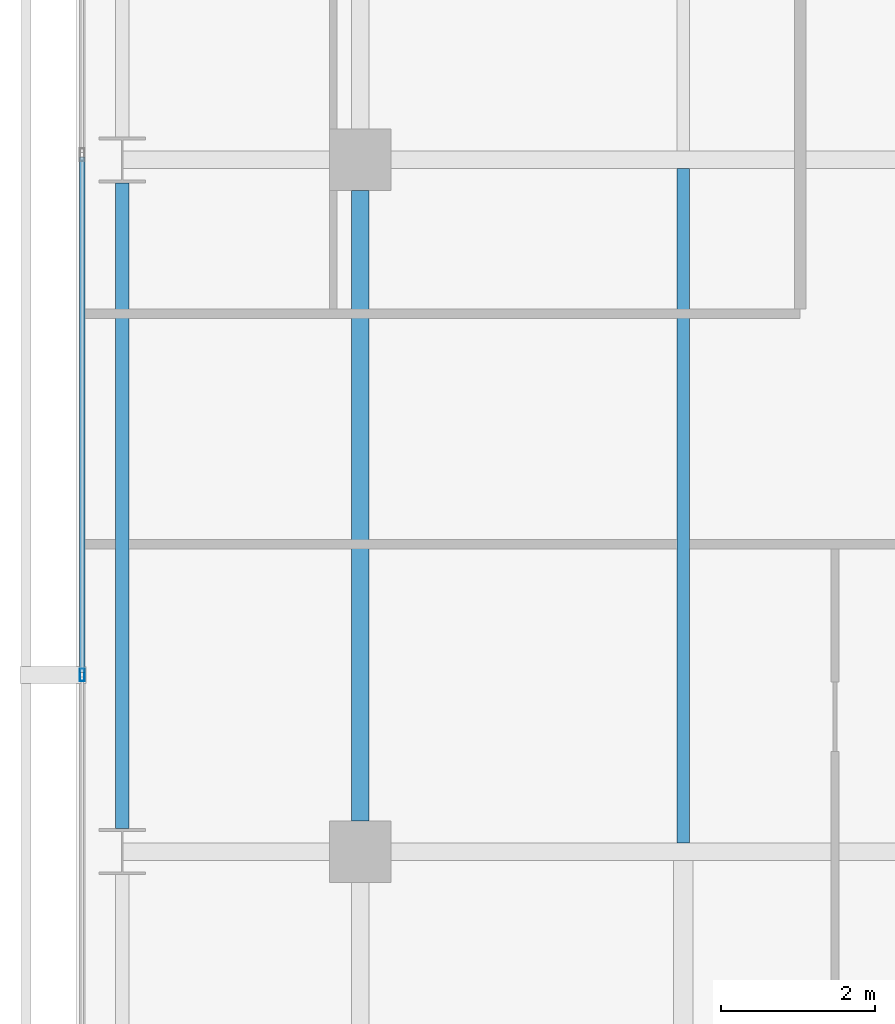
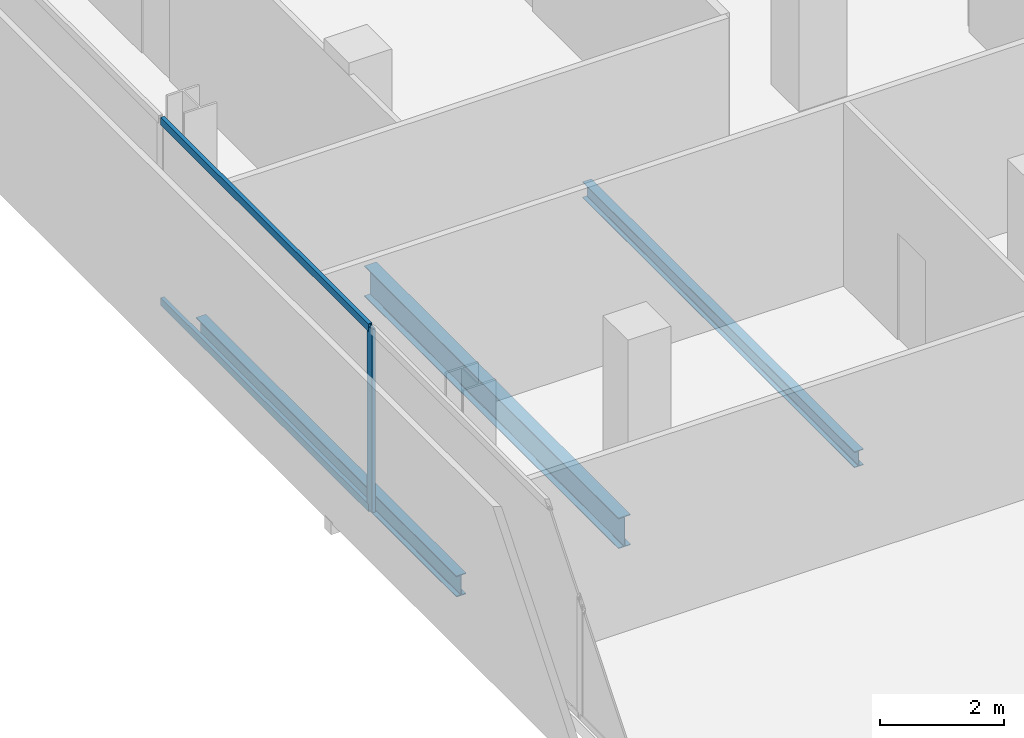
# One storey, part 10 of 33: 3 beams, 3 members, 1 element without a shape of its own.
"""IFC4 building model written with IfcOpenShell, lengths in metres."""

from ifc_helpers import new_model, si_unit, direction, frame, origin, origin_2d, place, context, subcontext, project, spatial, hollow_rectangle, i_section, extrude, material, layer, layer_set, material_profile, profile_set, type_object, element, aggregate, save


model = new_model("IFC4")

# Units and contexts
model_context = context("Model", 3, precision=1e-05, world=origin(), true_north=direction((0.0, 1.0)))
body_context = subcontext(model_context, "Body", "Model", "MODEL_VIEW")
ifc_project = project(units=[si_unit("LENGTHUNIT", "METRE"), si_unit("AREAUNIT", "SQUARE_METRE"), si_unit("VOLUMEUNIT", "CUBIC_METRE"), si_unit("PLANEANGLEUNIT", "RADIAN"), si_unit("MASSUNIT", "GRAM", prefix="KILO")], contexts=[model_context])

# Site, building, storey
site_placement = place(None, origin())
site = spatial("IfcSite", under=ifc_project, at=site_placement, CompositionType="ELEMENT")
building_placement = place(site_placement, origin())
building = spatial("IfcBuilding", under=site, at=building_placement, Name="Maruvema Waterfront Hotel and Observation Tower", CompositionType="ELEMENT")
storey_placement = place(building_placement, frame((0.0, 0.0, 169.75)))
storey = spatial("IfcBuildingStorey", under=building, at=storey_placement, Name="L41", CompositionType="ELEMENT", Elevation=169.75)

# Curtain wall, members
ifc_material_1 = material(Name="Anodised bronze aluminium and solar-control low-E IGU", Category="aluminium")
ifc_layer = layer(ifc_material_1, 0.159912109375, Name="Zone 2 Amber Inner Thermal Curtain Wall System CW-03")
ifc_layer_set = layer_set([ifc_layer], Name="Anodised bronze aluminium and solar-control low-E IGU")
curtain_wall_type = type_object("IfcCurtainWallType", Name="Zone 2 Amber Inner Thermal Curtain Wall System CW-03", PredefinedType="USERDEFINED", material=ifc_layer_set)
curtain_wall_placement = place(storey_placement, origin())
curtain_wall = element("IfcCurtainWall", 1, at=curtain_wall_placement, inside=storey, type_object=curtain_wall_type, Name="L41 Curtain Wall CW-L41-W", ObjectType="UNITISED CURTAIN WALL", PredefinedType="USERDEFINED")
ifc_material_2 = material(Name="Anodised architectural bronze aluminium", Category="aluminium")
ifc_material_profile_1 = material_profile(ifc_material_2, hollow_rectangle(XDim=0.070068359375, YDim=0.14990234375, WallThickness=0.00390625, at=origin_2d()), Name="ALU-T70x150")
ifc_profile_set_1 = profile_set([ifc_material_profile_1], Name="Anodised architectural bronze aluminium")
member_type_1 = type_object("IfcMemberType", Name="Curtain Wall Horizontal Transom ALU-T70x150", PredefinedType="USERDEFINED", material=ifc_profile_set_1)
member_1_placement = place(storey_placement, frame((13.179931640625, 36.03662109375, 0.030029296875), z_axis=(0.0, -1.0, 0.0), x_axis=(1.0, 0.0, 0.0)))
member_1 = element("IfcMember", 2, at=member_1_placement, type_object=member_type_1, Name="CW-03 transom 3.1", ObjectType="TRANSOM", PredefinedType="USERDEFINED", context=body_context, shape_type="SweptSolid", body=[
    extrude(hollow_rectangle(XDim=0.070068359375, YDim=0.14990234375, WallThickness=0.00390625, at=origin_2d()), origin(), (0.0, 0.0, 1.0), 6.70654296875),
])
member_2_placement = place(storey_placement, frame((13.179931640625, 36.03662109375, 3.580078125), z_axis=(0.0, -1.0, 0.0), x_axis=(1.0, 0.0, 0.0)))
member_2 = element("IfcMember", 3, at=member_2_placement, type_object=member_type_1, Name="CW-03 transom 3.2", ObjectType="TRANSOM", PredefinedType="USERDEFINED", context=body_context, shape_type="SweptSolid", body=[
    extrude(hollow_rectangle(XDim=0.070068359375, YDim=0.14990234375, WallThickness=0.00390625, at=origin_2d()), origin(), (0.0, 0.0, 1.0), 6.70654296875),
])
ifc_material_3 = material(Name="Anodised architectural bronze aluminium", Category="aluminium")
ifc_material_profile_2 = material_profile(ifc_material_3, hollow_rectangle(XDim=0.06494140625, YDim=0.1650390625, WallThickness=0.00390625, at=origin_2d()), Name="ALU-M65x165")
ifc_profile_set_2 = profile_set([ifc_material_profile_2], Name="Anodised architectural bronze aluminium")
member_type_2 = type_object("IfcMemberType", Name="Curtain Wall Primary Mullion ALU-M65x165", PredefinedType="MULLION", material=ifc_profile_set_2)
member_3_placement = place(storey_placement, frame((13.179931640625, 29.300048828125, 0.0), z_axis=(0.0, 0.0, 1.0), x_axis=(1.0, 0.0, 0.0)))
member_3 = element("IfcMember", 4, at=member_3_placement, type_object=member_type_2, Name="CW-03 mullion 4", PredefinedType="MULLION", context=body_context, shape_type="SweptSolid", body=[
    extrude(hollow_rectangle(XDim=0.06494140625, YDim=0.1650390625, WallThickness=0.00390625, at=origin_2d()), origin(), (0.0, 0.0, 1.0), 3.610107421875),
])
aggregate(curtain_wall, [member_3, member_1, member_2])

# Beams
ifc_material_4 = material(Name="Steel ASTM A572 Grade 50", Category="steel")
ifc_material_profile_3 = material_profile(ifc_material_4, i_section(OverallWidth=0.180908203125, OverallDepth=0.4169921875, WebThickness=0.010986328125, FlangeThickness=0.018310546875, FilletRadius=0.014892578125, at=origin_2d()), Name="W410x85.0")
ifc_profile_set_3 = profile_set([ifc_material_profile_3], Name="Steel ASTM A572 Grade 50")
beam_type_1 = type_object("IfcBeamType", Name="Perimeter Spandrel Beam W410x85.0", PredefinedType="SPANDREL", material=ifc_profile_set_3)
beam_1_placement = place(storey_placement, frame((13.699951171875, 27.300048828125, -0.448486328125), z_axis=(0.0, 1.0, 0.0), x_axis=(-1.0, 0.0, 0.0)))
element("IfcBeam", 5, at=beam_1_placement, inside=storey, type_object=beam_type_1, Name="L41 Floor Girder NS-03", PredefinedType="SPANDREL", context=body_context, shape_type="SweptSolid", body=[
    extrude(i_section(OverallWidth=0.180908203125, OverallDepth=0.4169921875, WebThickness=0.010986328125, FlangeThickness=0.018310546875, FilletRadius=0.014892578125, at=origin_2d()), origin(), (0.0, 0.0, 1.0), 8.39990234375),
])
ifc_material_5 = material(Name="Steel ASTM A572 Grade 50", Category="steel")
ifc_material_profile_4 = material_profile(ifc_material_5, i_section(OverallWidth=0.22802734375, OverallDepth=0.60302734375, WebThickness=0.010498046875, FlangeThickness=0.014892578125, FilletRadius=0.01806640625, at=origin_2d()), Name="W610x101.0")
ifc_profile_set_4 = profile_set([ifc_material_profile_4], Name="Steel ASTM A572 Grade 50")
beam_type_2 = type_object("IfcBeamType", Name="Primary Floor Girder W610x101.0", PredefinedType="BEAM", material=ifc_profile_set_4)
beam_2_placement = place(storey_placement, frame((16.800048828125, 27.39990234375, -0.54150390625), z_axis=(0.0, 1.0, 0.0), x_axis=(-1.0, 0.0, 0.0)))
element("IfcBeam", 6, at=beam_2_placement, inside=storey, type_object=beam_type_2, Name="L41 Floor Girder NS-07", PredefinedType="BEAM", context=body_context, shape_type="SweptSolid", body=[
    extrude(i_section(OverallWidth=0.22802734375, OverallDepth=0.60302734375, WebThickness=0.010498046875, FlangeThickness=0.014892578125, FilletRadius=0.01806640625, at=origin_2d()), origin(), (0.0, 0.0, 1.0), 8.2001953125),
])
ifc_material_6 = material(Name="Steel ASTM A572 Grade 50", Category="steel")
ifc_material_profile_5 = material_profile(ifc_material_6, i_section(OverallWidth=0.1669921875, OverallDepth=0.31689453125, WebThickness=0.007568359375, FlangeThickness=0.01318359375, FilletRadius=0.012939453125, at=origin_2d()), Name="W310x52.0")
ifc_profile_set_5 = profile_set([ifc_material_profile_5], Name="Steel ASTM A572 Grade 50")
beam_type_3 = type_object("IfcBeamType", Name="Secondary Floor Joist W310x52.0", PredefinedType="JOIST", material=ifc_profile_set_5)
beam_3_placement = place(storey_placement, frame((21.0, 27.114013671875, -0.3984375), z_axis=(0.0, 1.0, 0.0), x_axis=(-1.0, 0.0, 0.0)))
element("IfcBeam", 7, at=beam_3_placement, inside=storey, type_object=beam_type_3, Name="L41 Secondary Floor Joist JS-03", PredefinedType="JOIST", context=body_context, shape_type="SweptSolid", body=[
    extrude(i_section(OverallWidth=0.1669921875, OverallDepth=0.31689453125, WebThickness=0.007568359375, FlangeThickness=0.01318359375, FilletRadius=0.012939453125, at=origin_2d()), origin(), (0.0, 0.0, 1.0), 8.77197265625),
])

save(model, "model.ifc")
